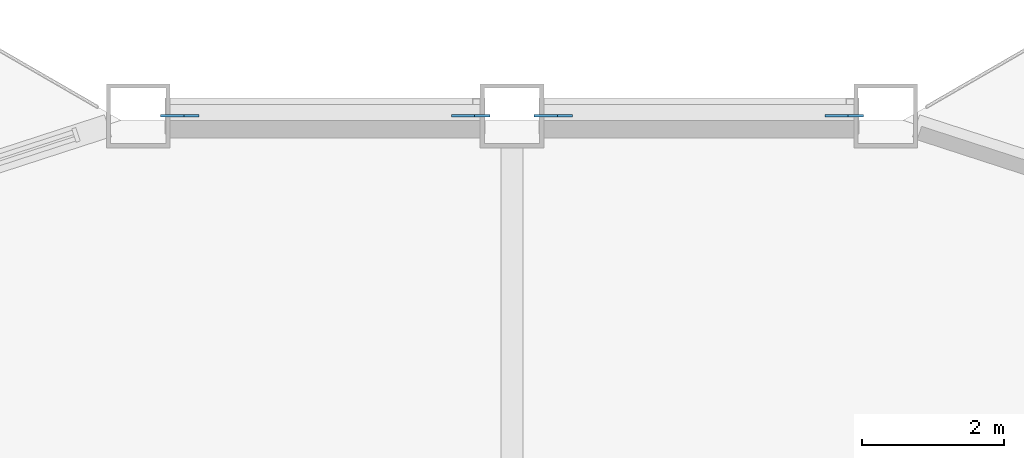
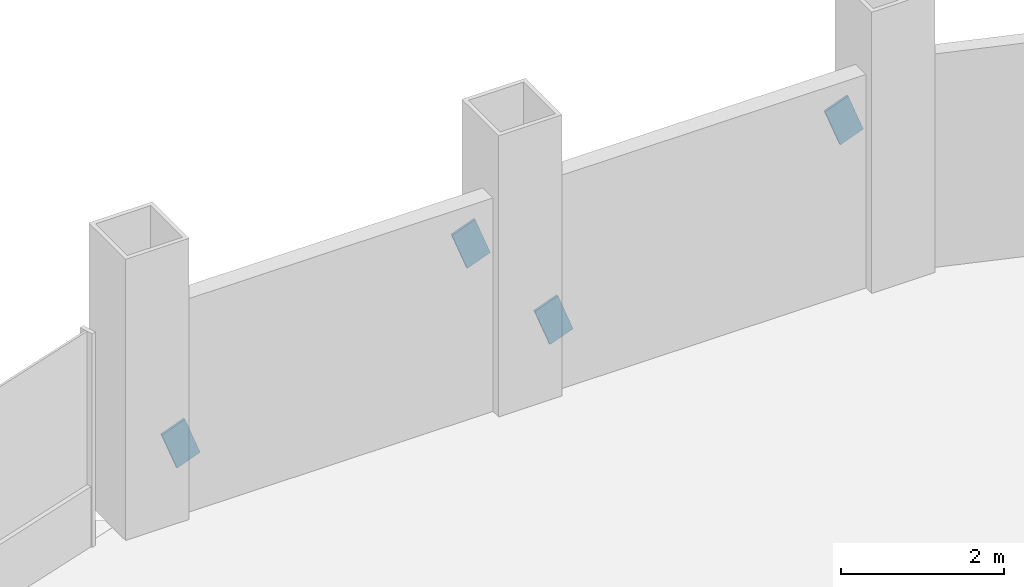
# One storey, part 16 of 21: 4 discrete accessories.
"""IFC4 building model written with IfcOpenShell, lengths in metres."""

from ifc_helpers import new_model, si_unit, direction, frame, origin, origin_2d, place, context, subcontext, project, spatial, rectangle, extrude, material, material_profile, profile_set, type_object, element, save


model = new_model("IFC4")

# Units and contexts
model_context = context("Model", 3, precision=1e-05, world=origin(), true_north=direction((0.0, 1.0)))
body_context = subcontext(model_context, "Body", "Model", "MODEL_VIEW")
ifc_project = project(units=[si_unit("LENGTHUNIT", "METRE"), si_unit("AREAUNIT", "SQUARE_METRE"), si_unit("VOLUMEUNIT", "CUBIC_METRE"), si_unit("PLANEANGLEUNIT", "RADIAN"), si_unit("MASSUNIT", "GRAM", prefix="KILO")], contexts=[model_context])

# Site, building, storey
site_placement = place(None, origin())
site = spatial("IfcSite", under=ifc_project, at=site_placement, CompositionType="ELEMENT")
building_placement = place(site_placement, origin())
building = spatial("IfcBuilding", under=site, at=building_placement, Name="Cormorant Prow Tower", CompositionType="ELEMENT")
storey_placement = place(building_placement, frame((0.0, 0.0, 141.60009765625)))
storey = spatial("IfcBuildingStorey", under=building, at=storey_placement, Name="L30", CompositionType="ELEMENT", Elevation=141.60009765625)

# Discrete accessories
ifc_material = material(Name="Structural steel ASTM A500 Gr C", Category="steel")
ifc_material_profile = material_profile(ifc_material, rectangle(XDim=0.031982421875, YDim=0.60791015625, at=origin_2d()), Name="Gusset plate 32x608")
ifc_profile_set = profile_set([ifc_material_profile], Name="Structural steel ASTM A500 Gr C")
discrete_accessory_type = type_object("IfcDiscreteAccessoryType", Name="Gusset plate 32x608", PredefinedType="BRACKET", material=ifc_profile_set)
discrete_accessory_1_placement = place(storey_placement, frame((0.74853515625, 32.487060546875, 0.88232421875), z_axis=(-0.935697286394, 0.0, -0.35280389487), x_axis=(0.0, -1.0, 0.0)))
element("IfcDiscreteAccessory", 1, at=discrete_accessory_1_placement, inside=storey, type_object=discrete_accessory_type, Name="Gusset plate GP1 L30.N00.g0", PredefinedType="BRACKET", context=body_context, shape_type="SweptSolid", body=[
    extrude(rectangle(XDim=0.031982421875, YDim=0.60791015625, at=origin_2d()), origin(), (0.0, 0.0, 1.0), 0.35009765625),
])
for number, where, z_axis, x_axis, name in (
    (2, (4.521240234375, 32.487060546875, 2.306396484375), (0.935610415408, 0.0, 0.353034205963), (0.0, 1.0, 0.0), "Gusset plate GP1 L30.N00.g1"),
    (3, (-4.521240234375, 32.487060546875, 0.88232421875), (-0.935610415408, 0.0, -0.353034205963), (0.0, -1.0, 0.0), "Gusset plate GP1 L30.N01.g0"),
):
    element("IfcDiscreteAccessory", number, at=place(storey_placement, frame(where, z_axis=z_axis, x_axis=x_axis)), inside=storey, type_object=discrete_accessory_type, Name=name, PredefinedType="BRACKET", context=body_context, shape_type="SweptSolid", body=[
        extrude(rectangle(XDim=0.031982421875, YDim=0.60791015625, at=origin_2d()), origin(), (0.0, 0.0, 1.0), 0.349853515625),
    ])
discrete_accessory_2_placement = place(storey_placement, frame((-0.74853515625, 32.487060546875, 2.306396484375), z_axis=(0.935697286394, 0.0, 0.35280389487), x_axis=(0.0, 1.0, 0.0)))
element("IfcDiscreteAccessory", 4, at=discrete_accessory_2_placement, inside=storey, type_object=discrete_accessory_type, Name="Gusset plate GP1 L30.N01.g1", PredefinedType="BRACKET", context=body_context, shape_type="SweptSolid", body=[
    extrude(rectangle(XDim=0.031982421875, YDim=0.60791015625, at=origin_2d()), origin(), (0.0, 0.0, 1.0), 0.35009765625),
])

save(model, "model.ifc")
